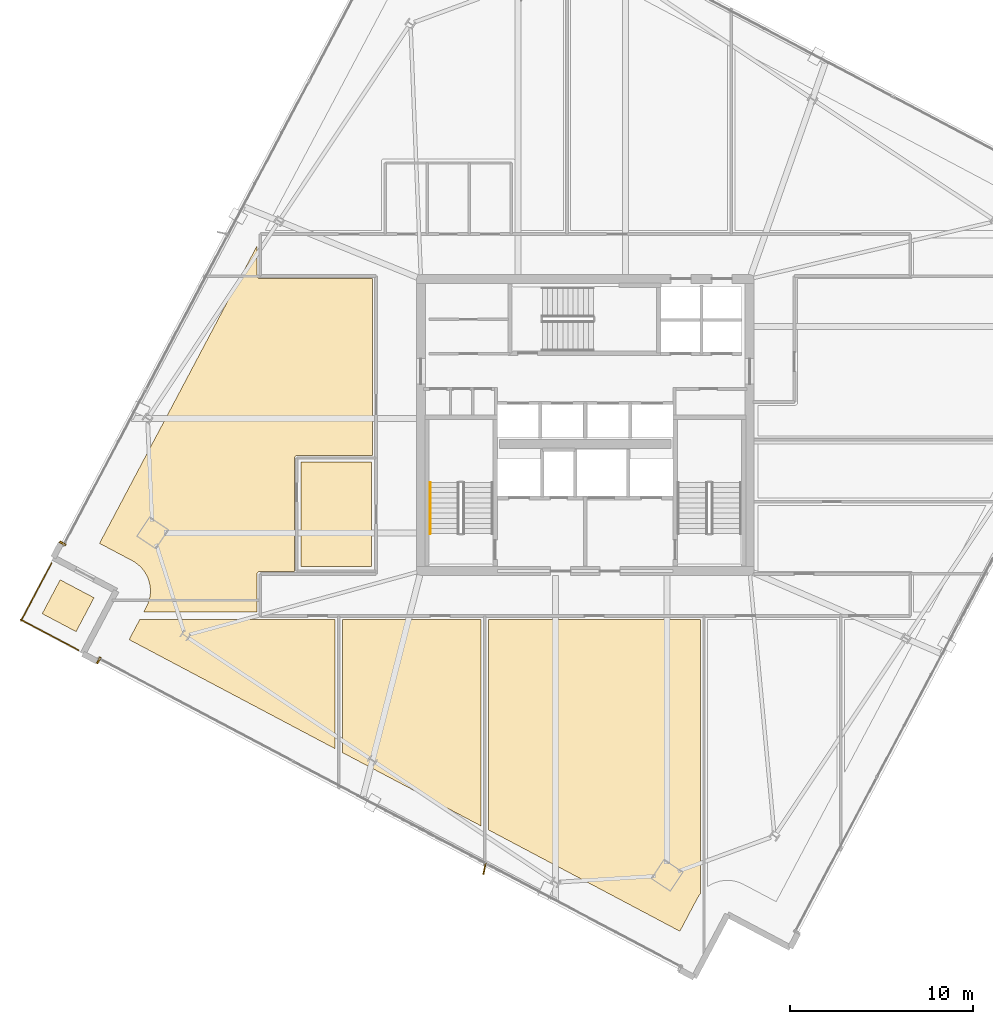
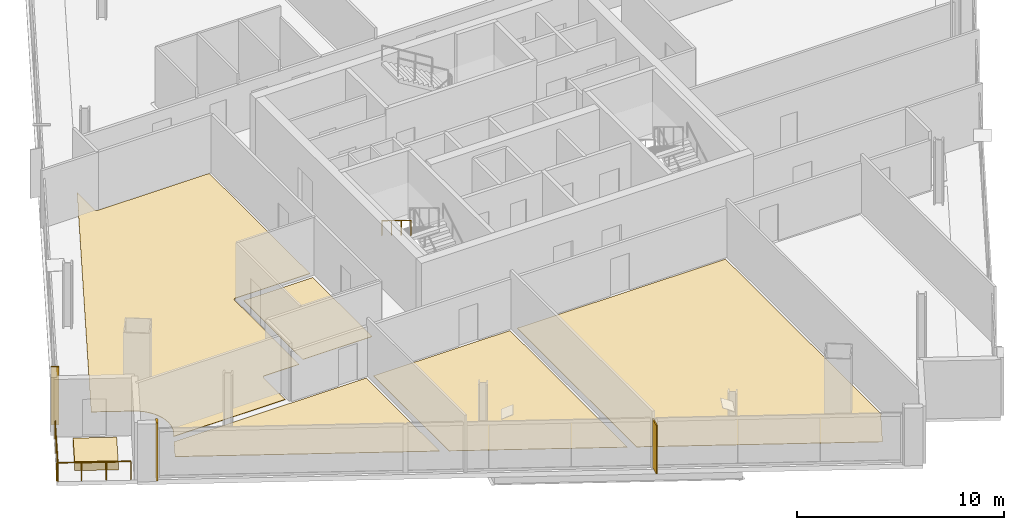
# One storey, part 24 of 28: 8 coverings, 3 railings, 1 shading device.
"""IFC4 building model written with IfcOpenShell, lengths in metres."""

from ifc_helpers import new_model, si_unit, direction, frame, origin, origin_2d, place, context, subcontext, project, spatial, polyline, rectangle, outline, extrude, source, transform, mapped, material, layer, layer_set, type_object, element, save


model = new_model("IFC4")

# Units and contexts
model_context = context("Model", 3, precision=1e-05, world=origin(), true_north=direction((0.0, 1.0)))
body_context = subcontext(model_context, "Body", "Model", "MODEL_VIEW")
ifc_project = project(units=[si_unit("LENGTHUNIT", "METRE"), si_unit("AREAUNIT", "SQUARE_METRE"), si_unit("VOLUMEUNIT", "CUBIC_METRE"), si_unit("PLANEANGLEUNIT", "RADIAN"), si_unit("MASSUNIT", "GRAM", prefix="KILO")], contexts=[model_context])

# Site, building, storey
site_placement = place(None, origin())
site = spatial("IfcSite", under=ifc_project, at=site_placement, CompositionType="ELEMENT")
building_placement = place(site_placement, origin())
building = spatial("IfcBuilding", under=site, at=building_placement, Name="Haldenkirk Collegiate Tower", CompositionType="ELEMENT")
storey_placement = place(building_placement, frame((0.0, 0.0, 235.949951171875)))
storey = spatial("IfcBuildingStorey", under=building, at=storey_placement, Name="L59", CompositionType="ELEMENT", Elevation=235.949951171875)

# Coverings
ifc_material_1 = material(Name="Polished collegiate terrazzo", Category="concrete")
ifc_layer_1 = layer(ifc_material_1, 0.02490234375)
ifc_layer_set_1 = layer_set([ifc_layer_1], Name="Polished collegiate terrazzo")
covering_type_1 = type_object("IfcCoveringType", Name="COV-FLOOR-TERRAZZO", PredefinedType="FLOORING", material=ifc_layer_set_1)
covering_1_placement = place(storey_placement, origin())
element("IfcCovering", 1, at=covering_1_placement, inside=storey, type_object=covering_type_1, Name="L59 academic room finish 02", PredefinedType="FLOORING", context=body_context, shape_type="SweptSolid", body=[
    extrude(outline(polyline([(11.015380859375, 14.24462890625), (11.6005859375, 15.35009765625), (22.300048828125, 15.35009765625), (22.300048828125, 8.269775390625), (11.015380859375, 14.24462890625)])), origin(), (0.0, 0.0, 1.0), 0.025146484375),
])
covering_2_placement = place(storey_placement, origin())
element("IfcCovering", 2, at=covering_2_placement, inside=storey, type_object=covering_type_1, Name="L59 academic room finish 04", PredefinedType="FLOORING", context=body_context, shape_type="SweptSolid", body=[
    extrude(outline(polyline([(42.2294921875, 0.228515625), (42.22314453125, 0.21875), (42.135498046875, 0.0712890625), (42.132568359375, 0.066162109375), (41.1826171875, -1.72802734375), (30.699951171875, 3.822265625), (30.699951171875, 15.35009765625), (42.300048828125, 15.35009765625), (42.300048828125, 0.32421875), (42.2294921875, 0.228515625)])), origin(), (0.0, 0.0, 1.0), 0.025146484375),
])
covering_3_placement = place(storey_placement, origin())
element("IfcCovering", 3, at=covering_3_placement, inside=storey, type_object=covering_type_1, Name="L59 academic room finish 10", PredefinedType="FLOORING", context=body_context, shape_type="SweptSolid", body=[
    extrude(outline(polyline([(12.04052734375, 16.19970703125), (12.044921875, 16.21044921875), (12.102294921875, 16.372314453125), (12.105712890625, 16.3837890625), (12.146728515625, 16.55029296875), (12.14892578125, 16.56201171875), (12.173583984375, 16.73193359375), (12.174560546875, 16.74365234375), (12.182373046875, 16.915283203125), (12.182373046875, 16.927001953125), (12.173095703125, 17.0986328125), (12.172119140625, 17.1103515625), (12.14599609375, 17.280029296875), (12.143798828125, 17.29150390625), (12.101318359375, 17.4580078125), (12.097900390625, 17.46923828125), (12.039306640625, 17.630859375), (12.034912109375, 17.6416015625), (11.9609375, 17.79638671875), (11.955322265625, 17.806884765625), (11.866455078125, 17.953857421875), (11.85986328125, 17.963623046875), (11.757080078125, 18.101318359375), (11.74951171875, 18.110107421875), (11.6337890625, 18.237060546875), (11.625244140625, 18.245361328125), (11.49755859375, 18.360107421875), (11.488525390625, 18.36767578125), (11.35009765625, 18.469482421875), (11.34033203125, 18.475830078125), (11.192626953125, 18.563720703125), (11.1875, 18.56640625), (9.3935546875, 19.516357421875), (18.030029296875, 35.827880859375), (18.030029296875, 34.14990234375), (18.030517578125, 34.13818359375), (18.0322265625, 34.126708984375), (18.03515625, 34.115234375), (18.0390625, 34.10400390625), (18.044189453125, 34.093505859375), (18.05029296875, 34.083251953125), (18.05712890625, 34.073974609375), (18.065185546875, 34.065185546875), (18.073974609375, 34.05712890625), (18.083251953125, 34.05029296875), (18.093505859375, 34.044189453125), (18.10400390625, 34.0390625), (18.115234375, 34.03515625), (18.126708984375, 34.0322265625), (18.13818359375, 34.030517578125), (18.14990234375, 34.030029296875), (24.35009765625, 34.030029296875), (24.35009765625, 24.320068359375), (20.199951171875, 24.320068359375), (20.188232421875, 24.3193359375), (20.176513671875, 24.317626953125), (20.165283203125, 24.314697265625), (20.154052734375, 24.310791015625), (20.143310546875, 24.305908203125), (20.13330078125, 24.2998046875), (20.123779296875, 24.292724609375), (20.114990234375, 24.284912109375), (20.107177734375, 24.276123046875), (20.10009765625, 24.2666015625), (20.09423828125, 24.256591796875), (20.089111328125, 24.245849609375), (20.085205078125, 24.23486328125), (20.082275390625, 24.223388671875), (20.08056640625, 24.2119140625), (20.080078125, 24.199951171875), (20.080078125, 18.0), (20.08056640625, 17.98828125), (20.082275390625, 17.9765625), (20.083984375, 17.969970703125), (18.14990234375, 17.969970703125), (18.13818359375, 17.969482421875), (18.126708984375, 17.9677734375), (18.115234375, 17.96484375), (18.10400390625, 17.9609375), (18.093505859375, 17.955810546875), (18.083251953125, 17.94970703125), (18.073974609375, 17.94287109375), (18.065185546875, 17.934814453125), (18.05712890625, 17.926025390625), (18.05029296875, 17.916748046875), (18.044189453125, 17.906494140625), (18.0390625, 17.89599609375), (18.03515625, 17.884765625), (18.0322265625, 17.873291015625), (18.030517578125, 17.86181640625), (18.030029296875, 17.85009765625), (18.030029296875, 15.75), (11.812255859375, 15.75), (11.965087890625, 16.038818359375), (11.9677734375, 16.0439453125), (12.04052734375, 16.19970703125)])), origin(), (0.0, 0.0, 1.0), 0.025146484375),
])
ifc_material_2 = material(Name="Engineered collegiate oak acoustic flooring", Category="wood")
ifc_layer_2 = layer(ifc_material_2, 0.02197265625)
ifc_layer_set_2 = layer_set([ifc_layer_2], Name="Engineered collegiate oak acoustic flooring")
covering_type_2 = type_object("IfcCoveringType", Name="COV-FLOOR-TIMBER", PredefinedType="FLOORING", material=ifc_layer_set_2)
covering_4_placement = place(storey_placement, origin())
element("IfcCovering", 4, at=covering_4_placement, inside=storey, type_object=covering_type_2, Name="L59 academic room finish 01", PredefinedType="FLOORING", context=body_context, shape_type="SweptSolid", body=[
    extrude(outline(polyline([(20.43994140625, 18.239990234375), (20.43994140625, 23.9599609375), (24.300048828125, 23.9599609375), (24.300048828125, 18.239990234375), (20.43994140625, 18.239990234375)])), origin(), (0.0, 0.0, 1.0), 0.02197265625),
])
covering_5_placement = place(storey_placement, origin())
element("IfcCovering", 5, at=covering_5_placement, inside=storey, type_object=covering_type_2, Name="L59 academic room finish 03", PredefinedType="FLOORING", context=body_context, shape_type="SweptSolid", body=[
    extrude(outline(polyline([(22.699951171875, 8.057861328125), (22.699951171875, 15.35009765625), (30.300048828125, 15.35009765625), (30.300048828125, 4.033935546875), (22.699951171875, 8.057861328125)])), origin(), (0.0, 0.0, 1.0), 0.02197265625),
])
ifc_material_3 = material(Name="Precast concrete f'c 40 MPa", Category="concrete")
ifc_layer_3 = layer(ifc_material_3, 0.449951171875)
ifc_layer_set_3 = layer_set([ifc_layer_3], Name="Precast concrete f'c 40 MPa")
covering_type_3 = type_object("IfcCoveringType", Name="COV-PLANTER-450", PredefinedType="USERDEFINED", material=ifc_layer_set_3)
covering_6_placement = place(storey_placement, origin())
element("IfcCovering", 6, at=covering_6_placement, inside=storey, type_object=covering_type_3, Name="L59 planted garden planter bed", ObjectType="PLANTER", PredefinedType="USERDEFINED", context=body_context, shape_type="SweptSolid", body=[
    extrude(outline(polyline([(8.11328125, 14.68359375), (6.25732421875, 15.666259765625), (7.239990234375, 17.522216796875), (9.095947265625, 16.53955078125), (8.11328125, 14.68359375)])), origin(), (0.0, 0.0, 1.0), 0.449951171875),
])

# Railings
ifc_material_4 = material(Name="Painted architectural tubular steel", Category="steel")
railing_type_1 = type_object("IfcRailingType", Name="RLG-STAIR-HANDRAIL-900", PredefinedType="HANDRAIL", material=ifc_material_4)
railing_1_placement = place(storey_placement, frame((27.5, 22.85009765625, 2.04541015625)))
element("IfcRailing", 7, at=railing_1_placement, inside=storey, type_object=railing_type_1, Name="L59 ST-1 stair handrail 2", PredefinedType="HANDRAIL", context=body_context, shape_type="SweptSolid", body=[
    extrude(rectangle(XDim=0.048095703125, YDim=0.048095703125, at=origin_2d()), frame((0.0, 0.0, 0.8759765625), z_axis=(0.0, -0.854169791009, 0.51999420009), x_axis=(1.0, 0.0, 0.0)), (0.0, 0.0, 1.0), 3.278076171875),
    extrude(rectangle(XDim=0.0419921875, YDim=0.0419921875, at=origin_2d()), origin(), (0.0, 0.0, 1.0), 0.851806640625),
    extrude(rectangle(XDim=0.0419921875, YDim=0.0419921875, at=origin_2d()), frame((0.0, -0.933349609375, 0.568115234375)), (0.0, 0.0, 1.0), 0.851806640625),
    extrude(rectangle(XDim=0.0419921875, YDim=0.0419921875, at=origin_2d()), frame((0.0, -1.86669921875, 1.136474609375)), (0.0, 0.0, 1.0), 0.851806640625),
    extrude(rectangle(XDim=0.0419921875, YDim=0.0419921875, at=origin_2d()), frame((0.0, -2.800048828125, 1.70458984375)), (0.0, 0.0, 1.0), 0.851806640625),
])
ifc_material_5 = material(Name="Anodised architectural bronze aluminium", Category="aluminium")
railing_type_2 = type_object("IfcRailingType", Name="RLG-TERR-BALUSTRADE-1100", PredefinedType="BALUSTRADE", material=ifc_material_5)
railing_2_placement = place(storey_placement, frame((6.76904296875, 18.427734375, 0.0)))
element("IfcRailing", 8, at=railing_2_placement, inside=storey, type_object=railing_type_2, Name="L59 terrace guard balustrade 3-1", PredefinedType="BALUSTRADE", context=body_context, shape_type="SweptSolid", body=[
    extrude(rectangle(XDim=0.048095703125, YDim=0.048095703125, at=origin_2d()), frame((0.0, 0.0, 1.076171875), z_axis=(-0.467906520845, -0.883777962925, 0.0), x_axis=(0.883777962925, -0.467906520845, 0.0)), (0.0, 0.0, 1.0), 3.579833984375),
    extrude(rectangle(XDim=0.0419921875, YDim=0.0419921875, at=origin_2d()), origin(), (0.0, 0.0, 1.0), 1.052001953125),
    extrude(rectangle(XDim=0.0419921875, YDim=0.0419921875, at=origin_2d()), frame((-0.558349609375, -1.0546875, 0.0)), (0.0, 0.0, 1.0), 1.052001953125),
    extrude(rectangle(XDim=0.0419921875, YDim=0.0419921875, at=origin_2d()), frame((-1.11669921875, -2.109130859375, 0.0)), (0.0, 0.0, 1.0), 1.052001953125),
    extrude(rectangle(XDim=0.0419921875, YDim=0.0419921875, at=origin_2d()), frame((-1.675048828125, -3.163818359375, 0.0)), (0.0, 0.0, 1.0), 1.052001953125),
])
railing_3_placement = place(storey_placement, frame((5.069091796875, 15.344970703125, 0.0)))
element("IfcRailing", 9, at=railing_3_placement, inside=storey, type_object=railing_type_2, Name="L59 terrace guard balustrade 4-1", PredefinedType="BALUSTRADE", context=body_context, shape_type="SweptSolid", body=[
    extrude(rectangle(XDim=0.048095703125, YDim=0.048095703125, at=origin_2d()), frame((0.0, 0.0, 1.076171875), z_axis=(0.883777962925, -0.467906520845, 0.0), x_axis=(0.467906520845, 0.883777962925, 0.0)), (0.0, 0.0, 1.0), 3.579833984375),
    extrude(rectangle(XDim=0.0419921875, YDim=0.0419921875, at=origin_2d()), origin(), (0.0, 0.0, 1.0), 1.052001953125),
    extrude(rectangle(XDim=0.0419921875, YDim=0.0419921875, at=origin_2d()), frame((1.0546875, -0.558349609375, 0.0)), (0.0, 0.0, 1.0), 1.052001953125),
    extrude(rectangle(XDim=0.0419921875, YDim=0.0419921875, at=origin_2d()), frame((2.109130859375, -1.11669921875, 0.0)), (0.0, 0.0, 1.0), 1.052001953125),
    extrude(rectangle(XDim=0.0419921875, YDim=0.0419921875, at=origin_2d()), frame((3.163818359375, -1.675048828125, 0.0)), (0.0, 0.0, 1.0), 1.052001953125),
])

# Coverings
ifc_layer_4 = layer(ifc_material_5, 0.06005859375)
ifc_layer_set_4 = layer_set([ifc_layer_4], Name="Anodised architectural bronze aluminium")
covering_type_4 = type_object("IfcCoveringType", Name="COV-CLAD-BRONZE-60", PredefinedType="CLADDING", material=ifc_layer_set_4)
shared_shape_1 = source(origin(), body_context, "Body", "SweptSolid", [
    extrude(rectangle(XDim=0.10009765625, YDim=0.3798828125, at=origin_2d()), origin(), (0.0, 0.0, 1.0), 3.39990234375),
])
for number, where, z_axis, x_axis, name in (
    (10, (7.380615234375, 19.5185546875, 0.0), (0.0, 0.0, 1.0), (0.467929814261, 0.883765630089, 0.0), "L59 recessed curtain-wall bronze jamb closure NJL"),
    (11, (9.3515625, 13.111572265625, 0.0), (0.0, 0.0, 1.0), (-0.883765630089, 0.467929814261, 0.0), "L59 recessed curtain-wall bronze jamb closure WJR"),
):
    element("IfcCovering", number, at=place(storey_placement, frame(where, z_axis=z_axis, x_axis=x_axis)), inside=storey, type_object=covering_type_4, Name=name, PredefinedType="CLADDING", context=body_context, shape_type="MappedRepresentation", body=[
        mapped(shared_shape_1, transform((0.0, 0.0, 0.0), x_axis=(1.0, 0.0, 0.0), y_axis=(0.0, 1.0, 0.0), z_axis=(0.0, 0.0, 1.0), scale=1.0)),
    ])

# Shading device
ifc_layer_5 = layer(ifc_material_5, 0.06494140625)
ifc_layer_set_5 = layer_set([ifc_layer_5], Name="Anodised architectural bronze aluminium")
shading_device_type = type_object("IfcShadingDeviceType", Name="SHD-FIN-BRONZE-620", PredefinedType="USERDEFINED", material=ifc_layer_set_5)
shared_shape_2 = source(origin(), body_context, "Body", "SweptSolid", [
    extrude(rectangle(XDim=0.6201171875, YDim=0.06494140625, at=origin_2d()), origin(), (0.0, 0.0, 1.0), 2.85791015625),
])
shading_device_placement = place(storey_placement, frame((30.483642578125, 1.690673828125, 0.0), z_axis=(0.0, 0.0, 1.0), x_axis=(-0.206204185397, -0.978508985102, 0.0)))
element("IfcShadingDevice", 12, at=shading_device_placement, inside=storey, type_object=shading_device_type, Name="L59 folded bronze solar fin 1", ObjectType="FIN", PredefinedType="USERDEFINED", context=body_context, shape_type="MappedRepresentation", body=[
    mapped(shared_shape_2, transform((0.0, 0.0, 0.0), x_axis=(1.0, 0.0, 0.0), y_axis=(0.0, 1.0, 0.0), z_axis=(0.0, 0.0, 1.0), scale=1.0)),
])

save(model, "model.ifc")
